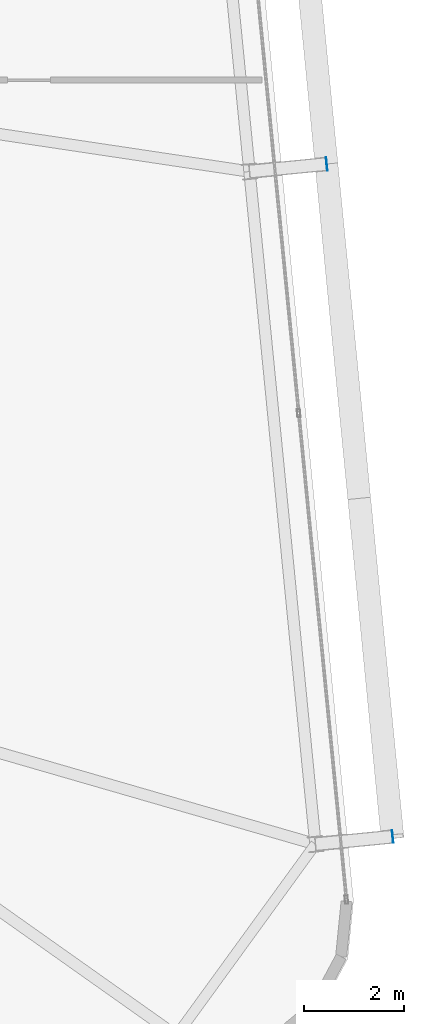
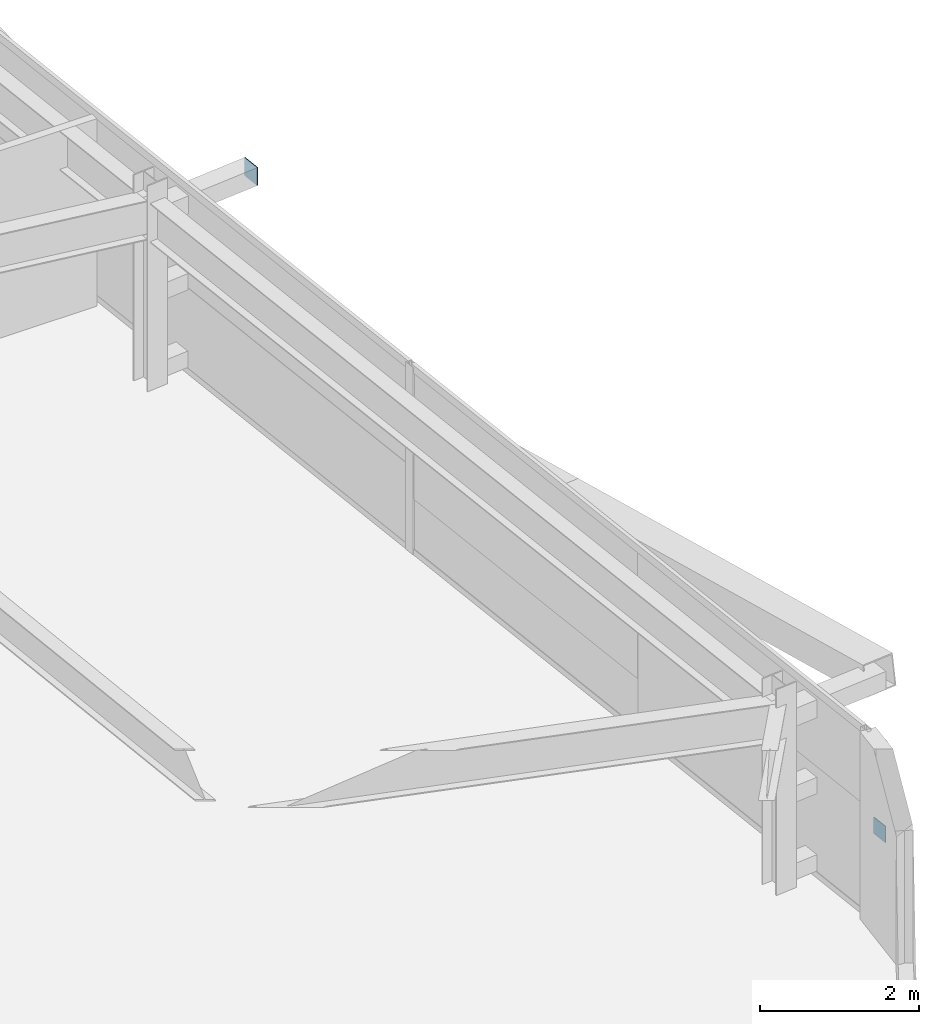
# One storey, part 37 of 47: 2 plates.
"""IFC4 building model written with IfcOpenShell, lengths in metres."""

from ifc_helpers import new_model, si_unit, direction, frame, origin, origin_2d, place, context, subcontext, project, spatial, rectangle, extrude, source, transform, mapped, material, layer, layer_set, type_object, element, save


model = new_model("IFC4")

# Units and contexts
model_context = context("Model", 3, precision=1e-05, world=origin(), true_north=direction((0.0, 1.0)))
body_context = subcontext(model_context, "Body", "Model", "MODEL_VIEW")
ifc_project = project(units=[si_unit("LENGTHUNIT", "METRE"), si_unit("AREAUNIT", "SQUARE_METRE"), si_unit("VOLUMEUNIT", "CUBIC_METRE"), si_unit("PLANEANGLEUNIT", "RADIAN"), si_unit("MASSUNIT", "GRAM", prefix="KILO")], contexts=[model_context])

# Site, building, storey
site_placement = place(None, origin())
site = spatial("IfcSite", under=ifc_project, at=site_placement, CompositionType="ELEMENT")
building_placement = place(site_placement, origin())
building = spatial("IfcBuilding", under=site, at=building_placement, Name="Taldren Reach Tower", CompositionType="ELEMENT")
storey_placement = place(building_placement, frame((0.0, 0.0, 109.199951171875)))
storey = spatial("IfcBuildingStorey", under=building, at=storey_placement, Name="L33", CompositionType="ELEMENT", Elevation=109.199951171875)

# Plates
ifc_material_1 = material(Name="Steel Gr 450 (C450L0)", Category="steel")
ifc_layer_1 = layer(ifc_material_1, 0.011962890625)
ifc_layer_set_1 = layer_set([ifc_layer_1], Name="Steel Gr 450 (C450L0)")
plate_type_1 = type_object("IfcPlateType", Name="PL-CAP-275", PredefinedType="SHEET", material=ifc_layer_set_1)
shared_shape_1 = source(origin(), body_context, "Body", "SweptSolid", [
    extrude(rectangle(XDim=0.011962890625, YDim=0.27490234375, at=origin_2d()), origin(), (0.0, 0.0, 1.0), 0.27490234375),
])
plate_1_placement = place(storey_placement, frame((66.1181640625, 22.120849609375, 2.45263671875), z_axis=(0.0, 0.0, 1.0), x_axis=(0.995227399982, 0.097582899759, 0.0)))
element("IfcPlate", 1, at=plate_1_placement, inside=storey, type_object=plate_type_1, Name="Tie strut end cap plate B2-E2 L33", PredefinedType="SHEET", context=body_context, shape_type="MappedRepresentation", body=[
    mapped(shared_shape_1, transform((0.0, 0.0, 0.0), scale=1.0)),
])
ifc_material_2 = material(Name="Steel Gr 350 (C350L0)", Category="steel")
ifc_layer_2 = layer(ifc_material_2, 0.011962890625)
ifc_layer_set_2 = layer_set([ifc_layer_2], Name="Steel Gr 350 (C350L0)")
plate_type_2 = type_object("IfcPlateType", Name="PL-CAP-250", PredefinedType="SHEET", material=ifc_layer_set_2)
shared_shape_2 = source(origin(), body_context, "Body", "SweptSolid", [
    extrude(rectangle(XDim=0.011962890625, YDim=0.25, at=origin_2d()), origin(), (0.0, 0.0, 1.0), 0.25),
])
plate_2_placement = place(storey_placement, frame((67.440185546875, 8.635498046875, 0.094970703125), z_axis=(0.0, 0.0, 1.0), x_axis=(0.995227399982, 0.097582899759, 0.0)))
element("IfcPlate", 2, at=plate_2_placement, inside=storey, type_object=plate_type_2, Name="Tie strut end cap plate B2-E1 L33", PredefinedType="SHEET", context=body_context, shape_type="MappedRepresentation", body=[
    mapped(shared_shape_2, transform((0.0, 0.0, 0.0), scale=1.0)),
])

save(model, "model.ifc")
